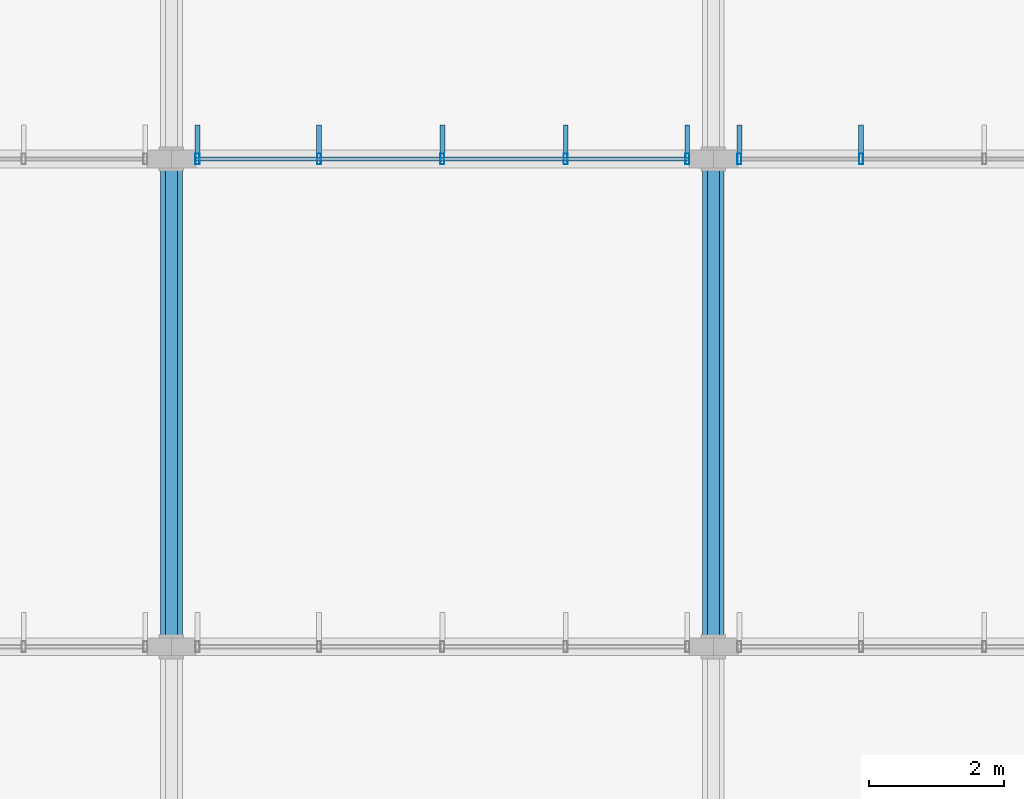
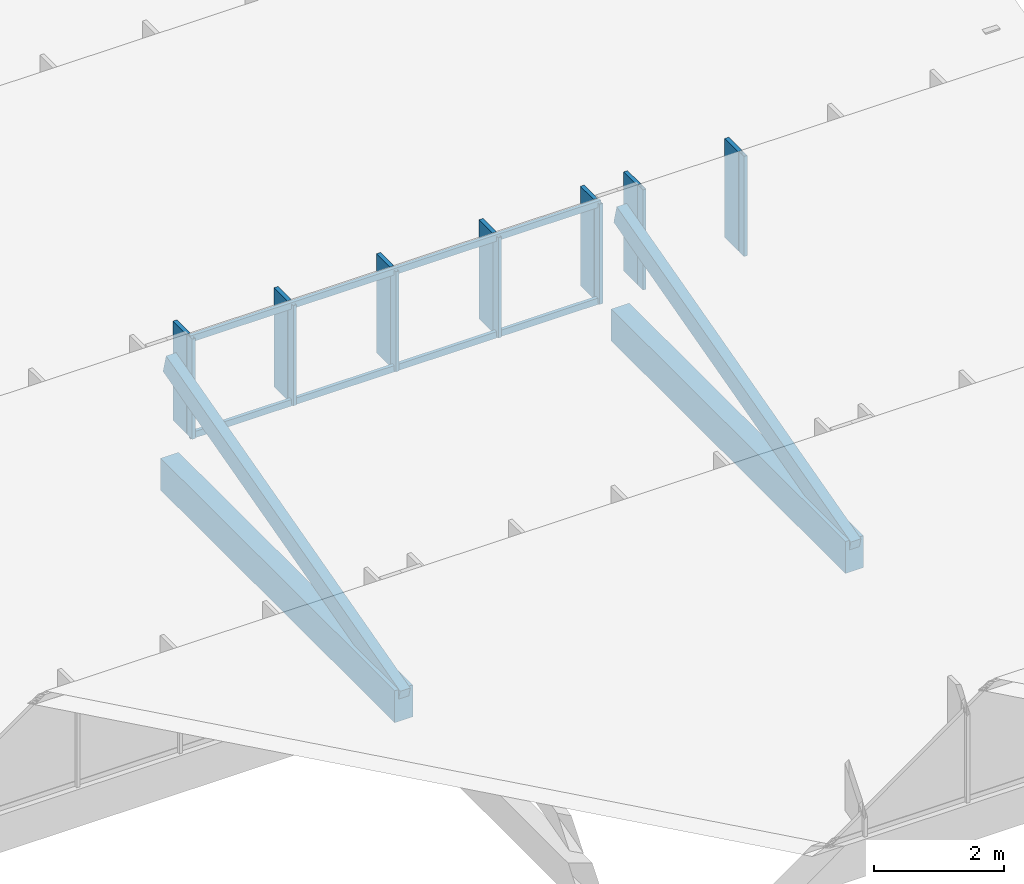
# One storey, part 32 of 94: 20 members, 2 elements without a shape of their own.
"""IFC4 building model written with IfcOpenShell, lengths in metres."""

from ifc_helpers import new_model, si_unit, direction, frame, origin, origin_2d, place, context, subcontext, project, spatial, rectangle, hollow_rectangle, extrude, material, material_profile, profile_set, type_object, element, aggregate, save


model = new_model("IFC4")

# Units and contexts
model_context = context("Model", 3, precision=1e-05, world=origin(), true_north=direction((0.0, 1.0)))
body_context = subcontext(model_context, "Body", "Model", "MODEL_VIEW")
ifc_project = project(units=[si_unit("LENGTHUNIT", "METRE"), si_unit("AREAUNIT", "SQUARE_METRE"), si_unit("VOLUMEUNIT", "CUBIC_METRE"), si_unit("PLANEANGLEUNIT", "RADIAN"), si_unit("MASSUNIT", "GRAM", prefix="KILO")], contexts=[model_context])

# Site, building, storey
site_placement = place(None, origin())
site = spatial("IfcSite", under=ifc_project, at=site_placement, CompositionType="ELEMENT")
building_placement = place(site_placement, origin())
building = spatial("IfcBuilding", under=site, at=building_placement, Name="Chiffa Square Polytechnic", CompositionType="ELEMENT")
storey_placement = place(building_placement, frame((0.0, 0.0, 18.0)))
storey = spatial("IfcBuildingStorey", under=building, at=storey_placement, Name="L04", CompositionType="ELEMENT", Elevation=18.0)

# Curtain wall, members
ifc_material_1 = material(Name="Aluminium EN AW-6060 T66 and glulam shading", Category="wood")
curtain_wall_type_1 = type_object("IfcCurtainWallType", Name="CW-VERT-600X440", PredefinedType="USERDEFINED", material=ifc_material_1)
curtain_wall_1_placement = place(storey_placement, origin())
curtain_wall_1 = element("IfcCurtainWall", 1, at=curtain_wall_1_placement, inside=storey, type_object=curtain_wall_type_1, Name="Curtain wall CW-V6-SAW6-3", ObjectType="CURTAIN WALL", PredefinedType="USERDEFINED")
ifc_material_2 = material(Name="Aluminium EN AW-6060 T66", Category="aluminium")
ifc_material_profile_1 = material_profile(ifc_material_2, hollow_rectangle(XDim=0.06005859375, YDim=0.159912109375, WallThickness=0.00390625, at=origin_2d()), Name="ALU 60x160x4")
ifc_profile_set_1 = profile_set([ifc_material_profile_1], Name="Aluminium EN AW-6060 T66")
member_type_1 = type_object("IfcMemberType", Name="CWM-ALU-65X150", PredefinedType="MULLION", material=ifc_profile_set_1)
member_1_placement = place(storey_placement, frame((23.614990234375, 79.800048828125, 0.699951171875), z_axis=(0.0, 0.0, 1.0), x_axis=(1.0, 0.0, 0.0)))
member_1 = element("IfcMember", 2, at=member_1_placement, type_object=member_type_1, Name="Curtain wall mullion CW-V6-SAW6-3-M00", PredefinedType="MULLION", context=body_context, shape_type="SweptSolid", body=[
    extrude(hollow_rectangle(XDim=0.06005859375, YDim=0.159912109375, WallThickness=0.00390625, at=origin_2d()), origin(), (0.0, 0.0, 1.0), 1.879150390625),
])
member_2_placement = place(storey_placement, frame((21.820068359375, 79.800048828125, 0.699951171875), z_axis=(0.0, 0.0, 1.0), x_axis=(1.0, 0.0, 0.0)))
member_2 = element("IfcMember", 3, at=member_2_placement, type_object=member_type_1, Name="Curtain wall mullion CW-V6-SAW6-3-M01", PredefinedType="MULLION", context=body_context, shape_type="SweptSolid", body=[
    extrude(hollow_rectangle(XDim=0.06005859375, YDim=0.159912109375, WallThickness=0.00390625, at=origin_2d()), origin(), (0.0, 0.0, 1.0), 1.879150390625),
])
member_3_placement = place(storey_placement, frame((20.0, 79.800048828125, 0.699951171875), z_axis=(0.0, 0.0, 1.0), x_axis=(1.0, 0.0, 0.0)))
member_3 = element("IfcMember", 4, at=member_3_placement, type_object=member_type_1, Name="Curtain wall mullion CW-V6-SAW6-3-M02", PredefinedType="MULLION", context=body_context, shape_type="SweptSolid", body=[
    extrude(hollow_rectangle(XDim=0.06005859375, YDim=0.159912109375, WallThickness=0.00390625, at=origin_2d()), origin(), (0.0, 0.0, 1.0), 1.879150390625),
])
member_4_placement = place(storey_placement, frame((18.179931640625, 79.800048828125, 0.699951171875), z_axis=(0.0, 0.0, 1.0), x_axis=(1.0, 0.0, 0.0)))
member_4 = element("IfcMember", 5, at=member_4_placement, type_object=member_type_1, Name="Curtain wall mullion CW-V6-SAW6-3-M03", PredefinedType="MULLION", context=body_context, shape_type="SweptSolid", body=[
    extrude(hollow_rectangle(XDim=0.06005859375, YDim=0.159912109375, WallThickness=0.00390625, at=origin_2d()), origin(), (0.0, 0.0, 1.0), 1.879150390625),
])
member_5_placement = place(storey_placement, frame((16.385009765625, 79.800048828125, 0.699951171875), z_axis=(0.0, 0.0, 1.0), x_axis=(1.0, 0.0, 0.0)))
member_5 = element("IfcMember", 6, at=member_5_placement, type_object=member_type_1, Name="Curtain wall mullion CW-V6-SAW6-3-M04", PredefinedType="MULLION", context=body_context, shape_type="SweptSolid", body=[
    extrude(hollow_rectangle(XDim=0.06005859375, YDim=0.159912109375, WallThickness=0.00390625, at=origin_2d()), origin(), (0.0, 0.0, 1.0), 1.879150390625),
])

curtain_wall_type_2 = type_object("IfcCurtainWallType", Name="CW-VERT-450X380", PredefinedType="USERDEFINED", material=ifc_material_1)
curtain_wall_2_placement = place(storey_placement, origin())
curtain_wall_2 = element("IfcCurtainWall", 7, at=curtain_wall_2_placement, inside=storey, type_object=curtain_wall_type_2, Name="Curtain wall CW-V6-SAW6-4", ObjectType="CURTAIN WALL", PredefinedType="USERDEFINED")
member_6_placement = place(storey_placement, frame((26.179931640625, 79.800048828125, 0.699951171875), z_axis=(0.0, 0.0, 1.0), x_axis=(1.0, 0.0, 0.0)))
member_6 = element("IfcMember", 8, at=member_6_placement, type_object=member_type_1, Name="Curtain wall mullion CW-V6-SAW6-4-M03", PredefinedType="MULLION", context=body_context, shape_type="SweptSolid", body=[
    extrude(hollow_rectangle(XDim=0.06005859375, YDim=0.159912109375, WallThickness=0.00390625, at=origin_2d()), origin(), (0.0, 0.0, 1.0), 1.879150390625),
])
member_7_placement = place(storey_placement, frame((24.385009765625, 79.800048828125, 0.699951171875), z_axis=(0.0, 0.0, 1.0), x_axis=(1.0, 0.0, 0.0)))
member_7 = element("IfcMember", 9, at=member_7_placement, type_object=member_type_1, Name="Curtain wall mullion CW-V6-SAW6-4-M04", PredefinedType="MULLION", context=body_context, shape_type="SweptSolid", body=[
    extrude(hollow_rectangle(XDim=0.06005859375, YDim=0.159912109375, WallThickness=0.00390625, at=origin_2d()), origin(), (0.0, 0.0, 1.0), 1.879150390625),
])

# Member
ifc_material_3 = material(Name="Glulam GL28h", Category="wood")
ifc_material_profile_2 = material_profile(ifc_material_3, rectangle(XDim=0.070068359375, YDim=0.419921875, at=origin_2d()), Name="GL28h 70x420")
ifc_profile_set_2 = profile_set([ifc_material_profile_2], Name="Glulam GL28h")
member_type_2 = type_object("IfcMemberType", Name="CWM-GL-70X420", PredefinedType="MULLION", material=ifc_profile_set_2)
member_8_placement = place(storey_placement, frame((23.614990234375, 80.092041015625, 0.7099609375), z_axis=(0.0, 0.0, 1.0), x_axis=(-1.0, 0.0, 0.0)))
member_8 = element("IfcMember", 10, at=member_8_placement, type_object=member_type_2, Name="Exterior glulam solar fin CW-V6-SAW6-3-FN00", PredefinedType="MULLION", context=body_context, shape_type="SweptSolid", body=[
    extrude(rectangle(XDim=0.070068359375, YDim=0.419921875, at=origin_2d()), origin(), (0.0, 0.0, 1.0), 1.859130859375),
])

member_9_placement = place(storey_placement, frame((21.820068359375, 80.092041015625, 0.7099609375), z_axis=(0.0, 0.0, 1.0), x_axis=(-1.0, 0.0, 0.0)))
member_9 = element("IfcMember", 11, at=member_9_placement, type_object=member_type_2, Name="Exterior glulam solar fin CW-V6-SAW6-3-FN01", PredefinedType="MULLION", context=body_context, shape_type="SweptSolid", body=[
    extrude(rectangle(XDim=0.070068359375, YDim=0.419921875, at=origin_2d()), origin(), (0.0, 0.0, 1.0), 1.859130859375),
])

member_10_placement = place(storey_placement, frame((20.0, 80.092041015625, 0.7099609375), z_axis=(0.0, 0.0, 1.0), x_axis=(-1.0, 0.0, 0.0)))
member_10 = element("IfcMember", 12, at=member_10_placement, type_object=member_type_2, Name="Exterior glulam solar fin CW-V6-SAW6-3-FN02", PredefinedType="MULLION", context=body_context, shape_type="SweptSolid", body=[
    extrude(rectangle(XDim=0.070068359375, YDim=0.419921875, at=origin_2d()), origin(), (0.0, 0.0, 1.0), 1.859130859375),
])

member_11_placement = place(storey_placement, frame((18.179931640625, 80.092041015625, 0.7099609375), z_axis=(0.0, 0.0, 1.0), x_axis=(-1.0, 0.0, 0.0)))
member_11 = element("IfcMember", 13, at=member_11_placement, type_object=member_type_2, Name="Exterior glulam solar fin CW-V6-SAW6-3-FN03", PredefinedType="MULLION", context=body_context, shape_type="SweptSolid", body=[
    extrude(rectangle(XDim=0.070068359375, YDim=0.419921875, at=origin_2d()), origin(), (0.0, 0.0, 1.0), 1.859130859375),
])

member_12_placement = place(storey_placement, frame((16.385009765625, 80.092041015625, 0.7099609375), z_axis=(0.0, 0.0, 1.0), x_axis=(-1.0, 0.0, 0.0)))
member_12 = element("IfcMember", 14, at=member_12_placement, type_object=member_type_2, Name="Exterior glulam solar fin CW-V6-SAW6-3-FN04", PredefinedType="MULLION", context=body_context, shape_type="SweptSolid", body=[
    extrude(rectangle(XDim=0.070068359375, YDim=0.419921875, at=origin_2d()), origin(), (0.0, 0.0, 1.0), 1.859130859375),
])

member_13_placement = place(storey_placement, frame((26.179931640625, 80.092041015625, 0.7099609375), z_axis=(0.0, 0.0, 1.0), x_axis=(-1.0, 0.0, 0.0)))
member_13 = element("IfcMember", 15, at=member_13_placement, type_object=member_type_2, Name="Exterior glulam solar fin CW-V6-SAW6-4-FN03", PredefinedType="MULLION", context=body_context, shape_type="SweptSolid", body=[
    extrude(rectangle(XDim=0.070068359375, YDim=0.419921875, at=origin_2d()), origin(), (0.0, 0.0, 1.0), 1.859130859375),
])

member_14_placement = place(storey_placement, frame((24.385009765625, 80.092041015625, 0.7099609375), z_axis=(0.0, 0.0, 1.0), x_axis=(-1.0, 0.0, 0.0)))
member_14 = element("IfcMember", 16, at=member_14_placement, type_object=member_type_2, Name="Exterior glulam solar fin CW-V6-SAW6-4-FN04", PredefinedType="MULLION", context=body_context, shape_type="SweptSolid", body=[
    extrude(rectangle(XDim=0.070068359375, YDim=0.419921875, at=origin_2d()), origin(), (0.0, 0.0, 1.0), 1.859130859375),
])

aggregate(curtain_wall_2, [member_6, member_13, member_7, member_14])

ifc_material_profile_3 = material_profile(ifc_material_2, hollow_rectangle(XDim=0.06005859375, YDim=0.1201171875, WallThickness=0.00390625, at=origin_2d()), Name="ALU 60x120x4")
ifc_profile_set_3 = profile_set([ifc_material_profile_3], Name="Aluminium EN AW-6060 T66")
member_type_3 = type_object("IfcMemberType", Name="CWT-ALU-65X120", PredefinedType="USERDEFINED", material=ifc_profile_set_3)
member_15_placement = place(storey_placement, frame((23.64208984375, 79.800048828125, 0.72998046875), z_axis=(-1.0, 0.0, 0.0), x_axis=(0.0, -1.0, 0.0)))
member_15 = element("IfcMember", 17, at=member_15_placement, type_object=member_type_3, Name="Curtain wall transom CW-V6-SAW6-3-T01", ObjectType="TRANSOM", PredefinedType="USERDEFINED", context=body_context, shape_type="SweptSolid", body=[
    extrude(hollow_rectangle(XDim=0.06005859375, YDim=0.1201171875, WallThickness=0.00390625, at=origin_2d()), origin(), (0.0, 0.0, 1.0), 7.2841796875),
])

member_16_placement = place(storey_placement, frame((23.64208984375, 79.800048828125, 2.549072265625), z_axis=(-1.0, 0.0, 0.0), x_axis=(0.0, -1.0, 0.0)))
member_16 = element("IfcMember", 18, at=member_16_placement, type_object=member_type_3, Name="Curtain wall transom CW-V6-SAW6-3-T02", ObjectType="TRANSOM", PredefinedType="USERDEFINED", context=body_context, shape_type="SweptSolid", body=[
    extrude(hollow_rectangle(XDim=0.06005859375, YDim=0.1201171875, WallThickness=0.00390625, at=origin_2d()), origin(), (0.0, 0.0, 1.0), 7.2841796875),
])

aggregate(curtain_wall_1, [member_1, member_8, member_2, member_9, member_3, member_10, member_4, member_11, member_5, member_12, member_15, member_16])

# Members
ifc_material_4 = material(Name="Glulam GL32c", Category="wood")
ifc_material_profile_4 = material_profile(ifc_material_4, rectangle(XDim=0.320068359375, YDim=0.60009765625, at=origin_2d()), Name="GL32c 320x600")
ifc_profile_set_4 = profile_set([ifc_material_profile_4], Name="Glulam GL32c")
member_type_4 = type_object("IfcMemberType", Name="MEM-CHORD-GL320", PredefinedType="CHORD", material=ifc_profile_set_4)
for number, where, z_axis, x_axis, name in (
    (19, (16.0, 72.60009765625, 0.179931640625), (0.0, 1.0, 0.0), (-1.0, 0.0, 0.0), "Studio sawtooth tie chord TCB-V6-SAW-028"),
    (20, (24.0, 72.60009765625, 0.179931640625), (0.0, 1.0, 0.0), (-1.0, 0.0, 0.0), "Studio sawtooth tie chord TCB-V6-SAW-029"),
):
    element("IfcMember", number, at=place(storey_placement, frame(where, z_axis=z_axis, x_axis=x_axis)), inside=storey, type_object=member_type_4, Name=name, PredefinedType="CHORD", context=body_context, shape_type="SweptSolid", body=[
        extrude(rectangle(XDim=0.320068359375, YDim=0.60009765625, at=origin_2d()), origin(), (0.0, 0.0, 1.0), 7.199951171875),
    ])
ifc_material_profile_5 = material_profile(ifc_material_3, rectangle(XDim=0.179931640625, YDim=0.360107421875, at=origin_2d()), Name="GL28h 180x360")
ifc_profile_set_5 = profile_set([ifc_material_profile_5], Name="Glulam GL28h")
member_type_5 = type_object("IfcMemberType", Name="MEM-RFT-GL180", PredefinedType="RAFTER", material=ifc_profile_set_5)
for number, where, z_axis, x_axis, name in (
    (21, (16.0, 72.60009765625, 0.300048828125), (0.0, 0.965934748059, 0.258785746309), (-1.0, 0.0, 0.0), "Studio sawtooth glulam rafter RF-V6-L04-028"),
    (22, (24.0, 72.60009765625, 0.300048828125), (0.0, 0.965934748059, 0.258785746309), (-1.0, 0.0, 0.0), "Studio sawtooth glulam rafter RF-V6-L04-029"),
):
    element("IfcMember", number, at=place(storey_placement, frame(where, z_axis=z_axis, x_axis=x_axis)), inside=storey, type_object=member_type_5, Name=name, PredefinedType="RAFTER", context=body_context, shape_type="SweptSolid", body=[
        extrude(rectangle(XDim=0.179931640625, YDim=0.360107421875, at=origin_2d()), origin(), (0.0, 0.0, 1.0), 7.453857421875),
    ])

save(model, "model.ifc")
